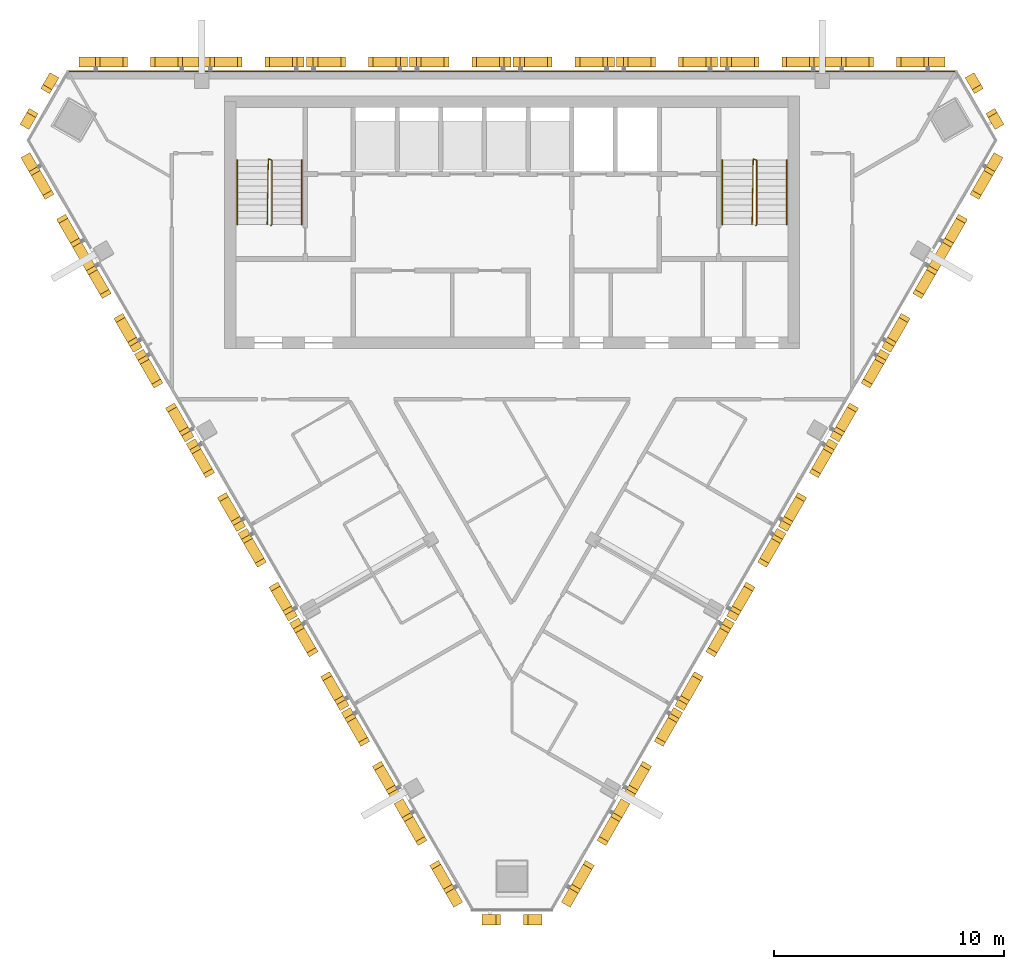
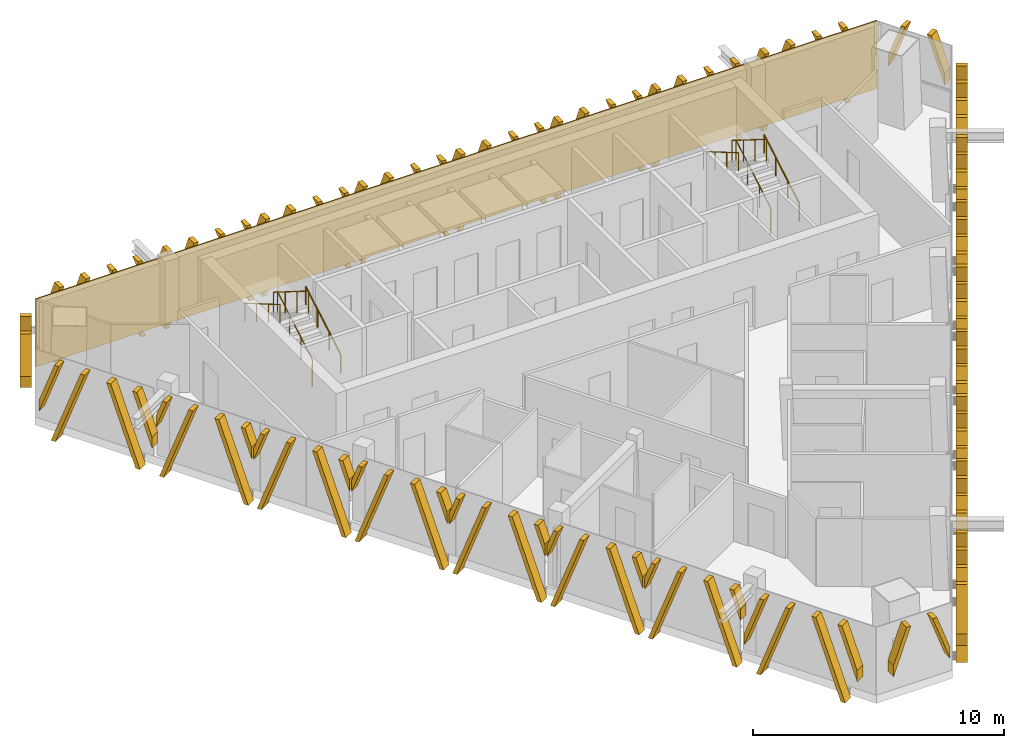
# One storey, part 11 of 12: 27 shading devices, 6 railings, 1 covering.
"""IFC4 building model written with IfcOpenShell, lengths in metres."""

from ifc_helpers import new_model, si_unit, direction, frame, frame_2d, origin, origin_2d, place, context, subcontext, project, spatial, polyline, rectangle, circle, outline, extrude, source, transform, mapped, material, layer, layer_set, type_object, element, save


model = new_model("IFC4")

# Units and contexts
model_context = context("Model", 3, precision=1e-05, world=origin(), true_north=direction((0.0, 1.0)))
body_context = subcontext(model_context, "Body", "Model", "MODEL_VIEW")
ifc_project = project(units=[si_unit("LENGTHUNIT", "METRE"), si_unit("AREAUNIT", "SQUARE_METRE"), si_unit("VOLUMEUNIT", "CUBIC_METRE"), si_unit("PLANEANGLEUNIT", "RADIAN"), si_unit("MASSUNIT", "GRAM", prefix="KILO")], contexts=[model_context])

# Site, building, storey
site_placement = place(None, origin())
site = spatial("IfcSite", under=ifc_project, at=site_placement, CompositionType="ELEMENT")
building_placement = place(site_placement, origin())
building = spatial("IfcBuilding", under=site, at=building_placement, Name="Altiplano Prism Tower", CompositionType="ELEMENT")
storey_placement = place(building_placement, frame((0.0, 0.0, 331.0)))
storey = spatial("IfcBuildingStorey", under=building, at=storey_placement, Name="L86", CompositionType="ELEMENT", Elevation=331.0)

# Railings
ifc_material_1 = material(Name="Steel S355", Category="steel")
railing_type_1 = type_object("IfcRailingType", Name="Stair guard 1100", PredefinedType="GUARDRAIL", material=ifc_material_1)
railing_1_placement = place(storey_placement, frame((74.5, 98.25, 0.0)))
element("IfcRailing", 1, at=railing_1_placement, inside=storey, type_object=railing_type_1, Name="L86 ST1 stair guard 1", PredefinedType="GUARDRAIL", context=body_context, shape_type="SweptSolid", body=[
    extrude(circle(Radius=0.02392578125, at=origin_2d()), frame((0.0, 0.0, 1.076171875), z_axis=(0.280808744504, 0.280808744504, 0.917765164963), x_axis=(-0.707106781187, 0.707106781187, 0.0)), (0.0, 0.0, 1.0), 0.17822265625),
    extrude(circle(Radius=0.02392578125, at=origin_2d()), frame((0.050048828125, 0.050048828125, 1.23974609375), z_axis=(0.0, 0.863360870873, 0.504586966384), x_axis=(-1.0, 0.0, 0.0)), (0.0, 0.0, 1.0), 3.2431640625),
    extrude(circle(Radius=0.02392578125, at=origin_2d()), frame((0.050048828125, 2.85009765625, 2.8759765625), z_axis=(-0.949145278916, 0.314838433982, 0.0), x_axis=(-0.314838433982, -0.949145278916, 0.0)), (0.0, 0.0, 1.0), 0.158203125),
    extrude(circle(Radius=0.02392578125, at=origin_2d()), frame((-0.10009765625, 2.89990234375, 2.8759765625), z_axis=(-0.01477401265, -0.845377694409, 0.533964682676), x_axis=(0.999847325713, -0.01747355902, 0.0)), (0.0, 0.0, 1.0), 3.37109375),
    extrude(circle(Radius=0.02099609375, at=origin_2d()), origin(), (0.0, 0.0, 1.0), 1.052001953125),
    extrude(circle(Radius=0.02099609375, at=origin_2d()), frame((0.050048828125, 0.050048828125, 0.16357421875)), (0.0, 0.0, 1.0), 1.052001953125),
    extrude(circle(Radius=0.02099609375, at=origin_2d()), frame((0.050048828125, 0.9833984375, 0.708984375)), (0.0, 0.0, 1.0), 1.052001953125),
    extrude(circle(Radius=0.02099609375, at=origin_2d()), frame((0.050048828125, 1.916748046875, 1.254638671875)), (0.0, 0.0, 1.0), 1.052001953125),
    extrude(circle(Radius=0.02099609375, at=origin_2d()), frame((0.050048828125, 2.85009765625, 1.800048828125)), (0.0, 0.0, 1.0), 1.052001953125),
    extrude(circle(Radius=0.02099609375, at=origin_2d()), frame((-0.10009765625, 2.89990234375, 1.800048828125)), (0.0, 0.0, 1.0), 1.052001953125),
    extrude(circle(Radius=0.02099609375, at=origin_2d()), frame((-0.11669921875, 1.949951171875, 2.400146484375)), (0.0, 0.0, 1.0), 1.052001953125),
    extrude(circle(Radius=0.02099609375, at=origin_2d()), frame((-0.13330078125, 1.0, 3.0)), (0.0, 0.0, 1.0), 1.052001953125),
    extrude(circle(Radius=0.02099609375, at=origin_2d()), frame((-0.14990234375, 0.050048828125, 3.60009765625)), (0.0, 0.0, 1.0), 1.052001953125),
])
railing_2_placement = place(storey_placement, frame((95.60009765625, 98.25, 0.0)))
element("IfcRailing", 2, at=railing_2_placement, inside=storey, type_object=railing_type_1, Name="L86 ST2 stair guard 1", PredefinedType="GUARDRAIL", context=body_context, shape_type="SweptSolid", body=[
    extrude(circle(Radius=0.02392578125, at=origin_2d()), frame((0.0, 0.0, 1.076171875), z_axis=(0.279546231943, 0.280916556609, 0.91811752648), x_axis=(-0.708833529934, 0.705375805398, 0.0)), (0.0, 0.0, 1.0), 0.17822265625),
    extrude(circle(Radius=0.02392578125, at=origin_2d()), frame((0.0498046875, 0.050048828125, 1.23974609375), z_axis=(0.0, 0.863360870873, 0.504586966384), x_axis=(-1.0, 0.0, 0.0)), (0.0, 0.0, 1.0), 3.2431640625),
    extrude(circle(Radius=0.02392578125, at=origin_2d()), frame((0.0498046875, 2.85009765625, 2.8759765625), z_axis=(-0.948991962702, 0.315300261223, 0.0), x_axis=(-0.315300261223, -0.948991962702, 0.0)), (0.0, 0.0, 1.0), 0.157958984375),
    extrude(circle(Radius=0.02392578125, at=origin_2d()), frame((-0.10009765625, 2.89990234375, 2.8759765625), z_axis=(-0.014846418356, -0.845376787675, 0.533964109957), x_axis=(0.999845825584, -0.017559187376, 0.0)), (0.0, 0.0, 1.0), 3.37109375),
    extrude(circle(Radius=0.02099609375, at=origin_2d()), origin(), (0.0, 0.0, 1.0), 1.052001953125),
    extrude(circle(Radius=0.02099609375, at=origin_2d()), frame((0.0498046875, 0.050048828125, 0.16357421875)), (0.0, 0.0, 1.0), 1.052001953125),
    extrude(circle(Radius=0.02099609375, at=origin_2d()), frame((0.0498046875, 0.9833984375, 0.708984375)), (0.0, 0.0, 1.0), 1.052001953125),
    extrude(circle(Radius=0.02099609375, at=origin_2d()), frame((0.0498046875, 1.916748046875, 1.254638671875)), (0.0, 0.0, 1.0), 1.052001953125),
    extrude(circle(Radius=0.02099609375, at=origin_2d()), frame((0.0498046875, 2.85009765625, 1.800048828125)), (0.0, 0.0, 1.0), 1.052001953125),
    extrude(circle(Radius=0.02099609375, at=origin_2d()), frame((-0.10009765625, 2.89990234375, 1.800048828125)), (0.0, 0.0, 1.0), 1.052001953125),
    extrude(circle(Radius=0.02099609375, at=origin_2d()), frame((-0.11669921875, 1.949951171875, 2.400146484375)), (0.0, 0.0, 1.0), 1.052001953125),
    extrude(circle(Radius=0.02099609375, at=origin_2d()), frame((-0.133544921875, 1.0, 3.0)), (0.0, 0.0, 1.0), 1.052001953125),
    extrude(circle(Radius=0.02099609375, at=origin_2d()), frame((-0.150146484375, 0.050048828125, 3.60009765625)), (0.0, 0.0, 1.0), 1.052001953125),
])
railing_type_2 = type_object("IfcRailingType", Name="Stair handrail 900", PredefinedType="HANDRAIL", material=ifc_material_1)
railing_3_placement = place(storey_placement, frame((75.85009765625, 98.300048828125, 0.16357421875)))
element("IfcRailing", 3, at=railing_3_placement, inside=storey, type_object=railing_type_2, Name="L86 ST1 stair handrail 1", PredefinedType="HANDRAIL", context=body_context, shape_type="SweptSolid", body=[
    extrude(circle(Radius=0.02392578125, at=origin_2d()), frame((0.0, 0.0, 0.8759765625), z_axis=(0.0, 0.863360870873, 0.504586966384), x_axis=(-1.0, 0.0, 0.0)), (0.0, 0.0, 1.0), 3.2431640625),
    extrude(circle(Radius=0.02099609375, at=origin_2d()), origin(), (0.0, 0.0, 1.0), 0.851806640625),
    extrude(circle(Radius=0.02099609375, at=origin_2d()), frame((0.0, 0.933349609375, 0.54541015625)), (0.0, 0.0, 1.0), 0.851806640625),
    extrude(circle(Radius=0.02099609375, at=origin_2d()), frame((0.0, 1.86669921875, 1.091064453125)), (0.0, 0.0, 1.0), 0.851806640625),
    extrude(circle(Radius=0.02099609375, at=origin_2d()), frame((0.0, 2.800048828125, 1.636474609375)), (0.0, 0.0, 1.0), 0.851806640625),
])
railing_4_placement = place(storey_placement, frame((73.050048828125, 101.10009765625, 1.963623046875)))
element("IfcRailing", 4, at=railing_4_placement, inside=storey, type_object=railing_type_2, Name="L86 ST1 stair handrail 2", PredefinedType="HANDRAIL", context=body_context, shape_type="SweptSolid", body=[
    extrude(circle(Radius=0.02392578125, at=origin_2d()), frame((0.0, 0.0, 0.8759765625), z_axis=(0.0, -0.863360870873, 0.504586966384), x_axis=(1.0, 0.0, 0.0)), (0.0, 0.0, 1.0), 3.2431640625),
    extrude(circle(Radius=0.02099609375, at=origin_2d()), origin(), (0.0, 0.0, 1.0), 0.851806640625),
    extrude(circle(Radius=0.02099609375, at=origin_2d()), frame((0.0, -0.933349609375, 0.54541015625)), (0.0, 0.0, 1.0), 0.851806640625),
    extrude(circle(Radius=0.02099609375, at=origin_2d()), frame((0.0, -1.86669921875, 1.091064453125)), (0.0, 0.0, 1.0), 0.851806640625),
    extrude(circle(Radius=0.02099609375, at=origin_2d()), frame((0.0, -2.800048828125, 1.636474609375)), (0.0, 0.0, 1.0), 0.851806640625),
])
railing_5_placement = place(storey_placement, frame((96.949951171875, 98.300048828125, 0.16357421875)))
element("IfcRailing", 5, at=railing_5_placement, inside=storey, type_object=railing_type_2, Name="L86 ST2 stair handrail 1", PredefinedType="HANDRAIL", context=body_context, shape_type="SweptSolid", body=[
    extrude(circle(Radius=0.02392578125, at=origin_2d()), frame((0.0, 0.0, 0.8759765625), z_axis=(0.0, 0.863360870873, 0.504586966384), x_axis=(-1.0, 0.0, 0.0)), (0.0, 0.0, 1.0), 3.2431640625),
    extrude(circle(Radius=0.02099609375, at=origin_2d()), origin(), (0.0, 0.0, 1.0), 0.851806640625),
    extrude(circle(Radius=0.02099609375, at=origin_2d()), frame((0.0, 0.933349609375, 0.54541015625)), (0.0, 0.0, 1.0), 0.851806640625),
    extrude(circle(Radius=0.02099609375, at=origin_2d()), frame((0.0, 1.86669921875, 1.091064453125)), (0.0, 0.0, 1.0), 0.851806640625),
    extrude(circle(Radius=0.02099609375, at=origin_2d()), frame((0.0, 2.800048828125, 1.636474609375)), (0.0, 0.0, 1.0), 0.851806640625),
])
railing_6_placement = place(storey_placement, frame((94.14990234375, 101.10009765625, 1.963623046875)))
element("IfcRailing", 6, at=railing_6_placement, inside=storey, type_object=railing_type_2, Name="L86 ST2 stair handrail 2", PredefinedType="HANDRAIL", context=body_context, shape_type="SweptSolid", body=[
    extrude(circle(Radius=0.02392578125, at=origin_2d()), frame((0.0, 0.0, 0.8759765625), z_axis=(0.0, -0.863360870873, 0.504586966384), x_axis=(1.0, 0.0, 0.0)), (0.0, 0.0, 1.0), 3.2431640625),
    extrude(circle(Radius=0.02099609375, at=origin_2d()), origin(), (0.0, 0.0, 1.0), 0.851806640625),
    extrude(circle(Radius=0.02099609375, at=origin_2d()), frame((0.0, -0.933349609375, 0.54541015625)), (0.0, 0.0, 1.0), 0.851806640625),
    extrude(circle(Radius=0.02099609375, at=origin_2d()), frame((0.0, -1.86669921875, 1.091064453125)), (0.0, 0.0, 1.0), 0.851806640625),
    extrude(circle(Radius=0.02099609375, at=origin_2d()), frame((0.0, -2.800048828125, 1.636474609375)), (0.0, 0.0, 1.0), 0.851806640625),
])

# Covering
ifc_material_2 = material(Name="Warm limestone cast stone", Category="masonry")
ifc_layer = layer(ifc_material_2, 0.06005859375)
ifc_layer_set = layer_set([ifc_layer], Name="Warm limestone cast stone")
covering_type = type_object("IfcCoveringType", Name="Stone cladding 60", PredefinedType="CLADDING", material=ifc_layer_set)
covering_placement = place(storey_placement, frame((65.63671875, 104.969970703125, 0.0), z_axis=(0.0, 0.0, 1.0), x_axis=(1.0, 0.0, 0.0)))
element("IfcCovering", 7, at=covering_placement, inside=storey, type_object=covering_type, Name="Stone cladding north face L86", PredefinedType="CLADDING", context=body_context, shape_type="SweptSolid", body=[
    extrude(rectangle(XDim=38.7265625, YDim=0.06005859375, at=frame_2d((19.36328125, 0.0))), origin(), (0.0, 0.0, 1.0), 3.300048828125),
])

# Shading devices
shading_device_type_1 = type_object("IfcShadingDeviceType", Name="Stone fin panel, wide closing bay", PredefinedType="USERDEFINED", material=ifc_material_2)
shared_shape_1 = source(origin(), body_context, "Body", "SweptSolid", [
    extrude(outline(polyline([(-2.60009765625, 1.227294921875), (-1.699951171875, 3.699951171875), (-1.89990234375, 3.699951171875), (-2.60009765625, 1.77685546875), (-2.60009765625, 1.227294921875)])), frame((0.0, -0.14990234375, 0.0), z_axis=(0.0, -1.0, 0.0), x_axis=(1.0, 0.0, 0.0)), (0.0, 0.0, 1.0), 0.4501953125),
    extrude(outline(polyline([(-2.046630859375, 0.0), (-1.8466796875, 0.0), (-0.5, 3.699951171875), (-0.699951171875, 3.699951171875), (-2.046630859375, 0.0)])), frame((0.0, -0.14990234375, 0.0), z_axis=(0.0, -1.0, 0.0), x_axis=(1.0, 0.0, 0.0)), (0.0, 0.0, 1.0), 0.4501953125),
    extrude(outline(polyline([(1.8466796875, 0.0), (2.046630859375, 0.0), (0.699951171875, 3.699951171875), (0.5, 3.699951171875), (1.8466796875, 0.0)])), frame((0.0, -0.14990234375, 0.0), z_axis=(0.0, -1.0, 0.0), x_axis=(1.0, 0.0, 0.0)), (0.0, 0.0, 1.0), 0.4501953125),
    extrude(outline(polyline([(2.60009765625, 1.77685546875), (1.89990234375, 3.699951171875), (1.699951171875, 3.699951171875), (2.60009765625, 1.227294921875), (2.60009765625, 1.77685546875)])), frame((0.0, -0.14990234375, 0.0), z_axis=(0.0, -1.0, 0.0), x_axis=(1.0, 0.0, 0.0)), (0.0, 0.0, 1.0), 0.4501953125),
])
shading_device_1_placement = place(storey_placement, origin())
element("IfcShadingDevice", 8, at=shading_device_1_placement, inside=storey, type_object=shading_device_type_1, Name="Fin L86 north face 1", ObjectType="FIN", PredefinedType="USERDEFINED", context=body_context, shape_type="MappedRepresentation", body=[
    mapped(shared_shape_1, transform((101.231689453125, 105.0, -0.39990234375), x_axis=(-1.0, 0.0, 0.0), y_axis=(0.0, -1.0, 0.0), z_axis=(0.0, 0.0, 1.0))),
])
shading_device_2_placement = place(storey_placement, origin())
element("IfcShadingDevice", 9, at=shading_device_2_placement, inside=storey, type_object=shading_device_type_1, Name="Fin L86 north face 8", ObjectType="FIN", PredefinedType="USERDEFINED", context=body_context, shape_type="MappedRepresentation", body=[
    mapped(shared_shape_1, transform((68.768310546875, 105.0, -0.39990234375), x_axis=(-1.0, 0.0, 0.0), y_axis=(0.0, -1.0, 0.0), z_axis=(0.0, 0.0, 1.0))),
])
shading_device_3_placement = place(storey_placement, origin())
element("IfcShadingDevice", 10, at=shading_device_3_placement, inside=storey, type_object=shading_device_type_1, Name="Fin L86 south-west face 1", ObjectType="FIN", PredefinedType="USERDEFINED", context=body_context, shape_type="MappedRepresentation", body=[
    mapped(shared_shape_1, transform((65.452392578125, 99.256591796875, -0.39990234375), x_axis=(0.499999996041, -0.86602540607, 0.0), y_axis=(0.86602540607, 0.499999996041, 0.0), z_axis=(0.0, 0.0, 1.0))),
])
shading_device_4_placement = place(storey_placement, origin())
element("IfcShadingDevice", 11, at=shading_device_4_placement, inside=storey, type_object=shading_device_type_1, Name="Fin L86 south-west face 8", ObjectType="FIN", PredefinedType="USERDEFINED", context=body_context, shape_type="MappedRepresentation", body=[
    mapped(shared_shape_1, transform((81.68408203125, 71.142333984375, -0.39990234375), x_axis=(0.499999996041, -0.86602540607, 0.0), y_axis=(0.86602540607, 0.499999996041, 0.0), z_axis=(0.0, 0.0, 1.0))),
])
shading_device_5_placement = place(storey_placement, origin())
element("IfcShadingDevice", 12, at=shading_device_5_placement, inside=storey, type_object=shading_device_type_1, Name="Fin L86 south-east face 1", ObjectType="FIN", PredefinedType="USERDEFINED", context=body_context, shape_type="MappedRepresentation", body=[
    mapped(shared_shape_1, transform((88.31591796875, 71.142333984375, -0.39990234375), x_axis=(0.499999996041, 0.86602540607, 0.0), y_axis=(-0.86602540607, 0.499999996041, 0.0), z_axis=(0.0, 0.0, 1.0))),
])
shading_device_6_placement = place(storey_placement, origin())
element("IfcShadingDevice", 13, at=shading_device_6_placement, inside=storey, type_object=shading_device_type_1, Name="Fin L86 south-east face 8", ObjectType="FIN", PredefinedType="USERDEFINED", context=body_context, shape_type="MappedRepresentation", body=[
    mapped(shared_shape_1, transform((104.547607421875, 99.256591796875, -0.39990234375), x_axis=(0.499999996041, 0.86602540607, 0.0), y_axis=(-0.86602540607, 0.499999996041, 0.0), z_axis=(0.0, 0.0, 1.0))),
])
shading_device_type_2 = type_object("IfcShadingDeviceType", Name="Stone fin panel, standard unit", PredefinedType="USERDEFINED", material=ifc_material_2)
shared_shape_2 = source(origin(), body_context, "Body", "SweptSolid", [
    extrude(outline(polyline([(-2.199951171875, 2.326416015625), (-1.699951171875, 3.699951171875), (-1.89990234375, 3.699951171875), (-2.199951171875, 2.875732421875), (-2.199951171875, 2.326416015625)])), frame((0.0, -0.14990234375, 0.0), z_axis=(0.0, -1.0, 0.0), x_axis=(1.0, 0.0, 0.0)), (0.0, 0.0, 1.0), 0.4501953125),
    extrude(outline(polyline([(-2.046630859375, 0.0), (-1.8466796875, 0.0), (-0.5, 3.699951171875), (-0.699951171875, 3.699951171875), (-2.046630859375, 0.0)])), frame((0.0, -0.14990234375, 0.0), z_axis=(0.0, -1.0, 0.0), x_axis=(1.0, 0.0, 0.0)), (0.0, 0.0, 1.0), 0.4501953125),
    extrude(outline(polyline([(1.8466796875, 0.0), (2.046630859375, 0.0), (0.699951171875, 3.699951171875), (0.5, 3.699951171875), (1.8466796875, 0.0)])), frame((0.0, -0.14990234375, 0.0), z_axis=(0.0, -1.0, 0.0), x_axis=(1.0, 0.0, 0.0)), (0.0, 0.0, 1.0), 0.4501953125),
    extrude(outline(polyline([(2.199951171875, 2.875732421875), (1.89990234375, 3.699951171875), (1.699951171875, 3.699951171875), (2.199951171875, 2.326416015625), (2.199951171875, 2.875732421875)])), frame((0.0, -0.14990234375, 0.0), z_axis=(0.0, -1.0, 0.0), x_axis=(1.0, 0.0, 0.0)), (0.0, 0.0, 1.0), 0.4501953125),
])
shading_device_7_placement = place(storey_placement, origin())
element("IfcShadingDevice", 14, at=shading_device_7_placement, inside=storey, type_object=shading_device_type_2, Name="Fin L86 north face 2", ObjectType="FIN", PredefinedType="USERDEFINED", context=body_context, shape_type="MappedRepresentation", body=[
    mapped(shared_shape_2, transform((96.25, 105.0, -0.39990234375), x_axis=(-1.0, 0.0, 0.0), y_axis=(0.0, -1.0, 0.0), z_axis=(0.0, 0.0, 1.0))),
])
shading_device_8_placement = place(storey_placement, origin())
element("IfcShadingDevice", 15, at=shading_device_8_placement, inside=storey, type_object=shading_device_type_2, Name="Fin L86 north face 3", ObjectType="FIN", PredefinedType="USERDEFINED", context=body_context, shape_type="MappedRepresentation", body=[
    mapped(shared_shape_2, transform((91.75, 105.0, -0.39990234375), x_axis=(-1.0, 0.0, 0.0), y_axis=(0.0, -1.0, 0.0), z_axis=(0.0, 0.0, 1.0))),
])
shading_device_9_placement = place(storey_placement, origin())
element("IfcShadingDevice", 16, at=shading_device_9_placement, inside=storey, type_object=shading_device_type_2, Name="Fin L86 north face 4", ObjectType="FIN", PredefinedType="USERDEFINED", context=body_context, shape_type="MappedRepresentation", body=[
    mapped(shared_shape_2, transform((87.25, 105.0, -0.39990234375), x_axis=(-1.0, 0.0, 0.0), y_axis=(0.0, -1.0, 0.0), z_axis=(0.0, 0.0, 1.0))),
])
shading_device_10_placement = place(storey_placement, origin())
element("IfcShadingDevice", 17, at=shading_device_10_placement, inside=storey, type_object=shading_device_type_2, Name="Fin L86 north face 5", ObjectType="FIN", PredefinedType="USERDEFINED", context=body_context, shape_type="MappedRepresentation", body=[
    mapped(shared_shape_2, transform((82.75, 105.0, -0.39990234375), x_axis=(-1.0, 0.0, 0.0), y_axis=(0.0, -1.0, 0.0), z_axis=(0.0, 0.0, 1.0))),
])
shading_device_11_placement = place(storey_placement, origin())
element("IfcShadingDevice", 18, at=shading_device_11_placement, inside=storey, type_object=shading_device_type_2, Name="Fin L86 north face 6", ObjectType="FIN", PredefinedType="USERDEFINED", context=body_context, shape_type="MappedRepresentation", body=[
    mapped(shared_shape_2, transform((78.25, 105.0, -0.39990234375), x_axis=(-1.0, 0.0, 0.0), y_axis=(0.0, -1.0, 0.0), z_axis=(0.0, 0.0, 1.0))),
])
shading_device_12_placement = place(storey_placement, origin())
element("IfcShadingDevice", 19, at=shading_device_12_placement, inside=storey, type_object=shading_device_type_2, Name="Fin L86 north face 7", ObjectType="FIN", PredefinedType="USERDEFINED", context=body_context, shape_type="MappedRepresentation", body=[
    mapped(shared_shape_2, transform((73.75, 105.0, -0.39990234375), x_axis=(-1.0, 0.0, 0.0), y_axis=(0.0, -1.0, 0.0), z_axis=(0.0, 0.0, 1.0))),
])
shading_device_13_placement = place(storey_placement, origin())
element("IfcShadingDevice", 20, at=shading_device_13_placement, inside=storey, type_object=shading_device_type_2, Name="Fin L86 south-west face 2", ObjectType="FIN", PredefinedType="USERDEFINED", context=body_context, shape_type="MappedRepresentation", body=[
    mapped(shared_shape_2, transform((67.943115234375, 94.942138671875, -0.39990234375), x_axis=(0.499999996041, -0.86602540607, 0.0), y_axis=(0.86602540607, 0.499999996041, 0.0), z_axis=(0.0, 0.0, 1.0))),
])
shading_device_14_placement = place(storey_placement, origin())
element("IfcShadingDevice", 21, at=shading_device_14_placement, inside=storey, type_object=shading_device_type_2, Name="Fin L86 south-west face 3", ObjectType="FIN", PredefinedType="USERDEFINED", context=body_context, shape_type="MappedRepresentation", body=[
    mapped(shared_shape_2, transform((70.193115234375, 91.045166015625, -0.39990234375), x_axis=(0.499999996041, -0.86602540607, 0.0), y_axis=(0.86602540607, 0.499999996041, 0.0), z_axis=(0.0, 0.0, 1.0))),
])
shading_device_15_placement = place(storey_placement, origin())
element("IfcShadingDevice", 22, at=shading_device_15_placement, inside=storey, type_object=shading_device_type_2, Name="Fin L86 south-west face 4", ObjectType="FIN", PredefinedType="USERDEFINED", context=body_context, shape_type="MappedRepresentation", body=[
    mapped(shared_shape_2, transform((72.443115234375, 87.14794921875, -0.39990234375), x_axis=(0.499999996041, -0.86602540607, 0.0), y_axis=(0.86602540607, 0.499999996041, 0.0), z_axis=(0.0, 0.0, 1.0))),
])
shading_device_16_placement = place(storey_placement, origin())
element("IfcShadingDevice", 23, at=shading_device_16_placement, inside=storey, type_object=shading_device_type_2, Name="Fin L86 south-west face 5", ObjectType="FIN", PredefinedType="USERDEFINED", context=body_context, shape_type="MappedRepresentation", body=[
    mapped(shared_shape_2, transform((74.693115234375, 83.2509765625, -0.39990234375), x_axis=(0.499999996041, -0.86602540607, 0.0), y_axis=(0.86602540607, 0.499999996041, 0.0), z_axis=(0.0, 0.0, 1.0))),
])
shading_device_17_placement = place(storey_placement, origin())
element("IfcShadingDevice", 24, at=shading_device_17_placement, inside=storey, type_object=shading_device_type_2, Name="Fin L86 south-west face 6", ObjectType="FIN", PredefinedType="USERDEFINED", context=body_context, shape_type="MappedRepresentation", body=[
    mapped(shared_shape_2, transform((76.943115234375, 79.353759765625, -0.39990234375), x_axis=(0.499999996041, -0.86602540607, 0.0), y_axis=(0.86602540607, 0.499999996041, 0.0), z_axis=(0.0, 0.0, 1.0))),
])
shading_device_18_placement = place(storey_placement, origin())
element("IfcShadingDevice", 25, at=shading_device_18_placement, inside=storey, type_object=shading_device_type_2, Name="Fin L86 south-west face 7", ObjectType="FIN", PredefinedType="USERDEFINED", context=body_context, shape_type="MappedRepresentation", body=[
    mapped(shared_shape_2, transform((79.193115234375, 75.45654296875, -0.39990234375), x_axis=(0.499999996041, -0.86602540607, 0.0), y_axis=(0.86602540607, 0.499999996041, 0.0), z_axis=(0.0, 0.0, 1.0))),
])
shading_device_19_placement = place(storey_placement, origin())
element("IfcShadingDevice", 26, at=shading_device_19_placement, inside=storey, type_object=shading_device_type_2, Name="Fin L86 south-east face 2", ObjectType="FIN", PredefinedType="USERDEFINED", context=body_context, shape_type="MappedRepresentation", body=[
    mapped(shared_shape_2, transform((90.806884765625, 75.45654296875, -0.39990234375), x_axis=(0.499999996041, 0.86602540607, 0.0), y_axis=(-0.86602540607, 0.499999996041, 0.0), z_axis=(0.0, 0.0, 1.0))),
])
shading_device_20_placement = place(storey_placement, origin())
element("IfcShadingDevice", 27, at=shading_device_20_placement, inside=storey, type_object=shading_device_type_2, Name="Fin L86 south-east face 3", ObjectType="FIN", PredefinedType="USERDEFINED", context=body_context, shape_type="MappedRepresentation", body=[
    mapped(shared_shape_2, transform((93.056884765625, 79.353759765625, -0.39990234375), x_axis=(0.499999996041, 0.86602540607, 0.0), y_axis=(-0.86602540607, 0.499999996041, 0.0), z_axis=(0.0, 0.0, 1.0))),
])
shading_device_21_placement = place(storey_placement, origin())
element("IfcShadingDevice", 28, at=shading_device_21_placement, inside=storey, type_object=shading_device_type_2, Name="Fin L86 south-east face 4", ObjectType="FIN", PredefinedType="USERDEFINED", context=body_context, shape_type="MappedRepresentation", body=[
    mapped(shared_shape_2, transform((95.306884765625, 83.2509765625, -0.39990234375), x_axis=(0.499999996041, 0.86602540607, 0.0), y_axis=(-0.86602540607, 0.499999996041, 0.0), z_axis=(0.0, 0.0, 1.0))),
])
shading_device_22_placement = place(storey_placement, origin())
element("IfcShadingDevice", 29, at=shading_device_22_placement, inside=storey, type_object=shading_device_type_2, Name="Fin L86 south-east face 5", ObjectType="FIN", PredefinedType="USERDEFINED", context=body_context, shape_type="MappedRepresentation", body=[
    mapped(shared_shape_2, transform((97.556884765625, 87.14794921875, -0.39990234375), x_axis=(0.499999996041, 0.86602540607, 0.0), y_axis=(-0.86602540607, 0.499999996041, 0.0), z_axis=(0.0, 0.0, 1.0))),
])
shading_device_23_placement = place(storey_placement, origin())
element("IfcShadingDevice", 30, at=shading_device_23_placement, inside=storey, type_object=shading_device_type_2, Name="Fin L86 south-east face 6", ObjectType="FIN", PredefinedType="USERDEFINED", context=body_context, shape_type="MappedRepresentation", body=[
    mapped(shared_shape_2, transform((99.806884765625, 91.045166015625, -0.39990234375), x_axis=(0.499999996041, 0.86602540607, 0.0), y_axis=(-0.86602540607, 0.499999996041, 0.0), z_axis=(0.0, 0.0, 1.0))),
])
shading_device_24_placement = place(storey_placement, origin())
element("IfcShadingDevice", 31, at=shading_device_24_placement, inside=storey, type_object=shading_device_type_2, Name="Fin L86 south-east face 7", ObjectType="FIN", PredefinedType="USERDEFINED", context=body_context, shape_type="MappedRepresentation", body=[
    mapped(shared_shape_2, transform((102.056884765625, 94.942138671875, -0.39990234375), x_axis=(0.499999996041, 0.86602540607, 0.0), y_axis=(-0.86602540607, 0.499999996041, 0.0), z_axis=(0.0, 0.0, 1.0))),
])
shading_device_type_3 = type_object("IfcShadingDeviceType", Name="Stone fin panel, chamfer unit", PredefinedType="USERDEFINED", material=ifc_material_2)
shared_shape_3 = source(origin(), body_context, "Body", "SweptSolid", [
    extrude(outline(polyline([(-1.300048828125, 1.501953125), (-0.5, 3.699951171875), (-0.699951171875, 3.699951171875), (-1.300048828125, 2.051513671875), (-1.300048828125, 1.501953125)])), frame((0.0, -0.14990234375, 0.0), z_axis=(0.0, -1.0, 0.0), x_axis=(1.0, 0.0, 0.0)), (0.0, 0.0, 1.0), 0.4501953125),
    extrude(outline(polyline([(1.300048828125, 2.051513671875), (0.699951171875, 3.699951171875), (0.5, 3.699951171875), (1.300048828125, 1.501953125), (1.300048828125, 2.051513671875)])), frame((0.0, -0.14990234375, 0.0), z_axis=(0.0, -1.0, 0.0), x_axis=(1.0, 0.0, 0.0)), (0.0, 0.0, 1.0), 0.4501953125),
])
shading_device_25_placement = place(storey_placement, origin())
element("IfcShadingDevice", 32, at=shading_device_25_placement, inside=storey, type_object=shading_device_type_3, Name="Fin L86 north-west chamfer 1", ObjectType="FIN", PredefinedType="USERDEFINED", context=body_context, shape_type="MappedRepresentation", body=[
    mapped(shared_shape_3, transform((64.761474609375, 103.484375, -0.39990234375), x_axis=(-0.499999989809, -0.866025409668, 0.0), y_axis=(0.866025409668, -0.499999989809, 0.0), z_axis=(0.0, 0.0, 1.0))),
])
shading_device_26_placement = place(storey_placement, origin())
element("IfcShadingDevice", 33, at=shading_device_26_placement, inside=storey, type_object=shading_device_type_3, Name="Fin L86 south chamfer 1", ObjectType="FIN", PredefinedType="USERDEFINED", context=body_context, shape_type="MappedRepresentation", body=[
    mapped(shared_shape_3, transform((85.0, 68.43017578125, -0.39990234375), x_axis=(1.0, 0.0, 0.0), y_axis=(0.0, 1.0, 0.0), z_axis=(0.0, 0.0, 1.0))),
])
shading_device_27_placement = place(storey_placement, origin())
element("IfcShadingDevice", 34, at=shading_device_27_placement, inside=storey, type_object=shading_device_type_3, Name="Fin L86 north-east chamfer 1", ObjectType="FIN", PredefinedType="USERDEFINED", context=body_context, shape_type="MappedRepresentation", body=[
    mapped(shared_shape_3, transform((105.238525390625, 103.484375, -0.39990234375), x_axis=(-0.499999989809, 0.866025409668, 0.0), y_axis=(-0.866025409668, -0.499999989809, 0.0), z_axis=(0.0, 0.0, 1.0))),
])

save(model, "model.ifc")
